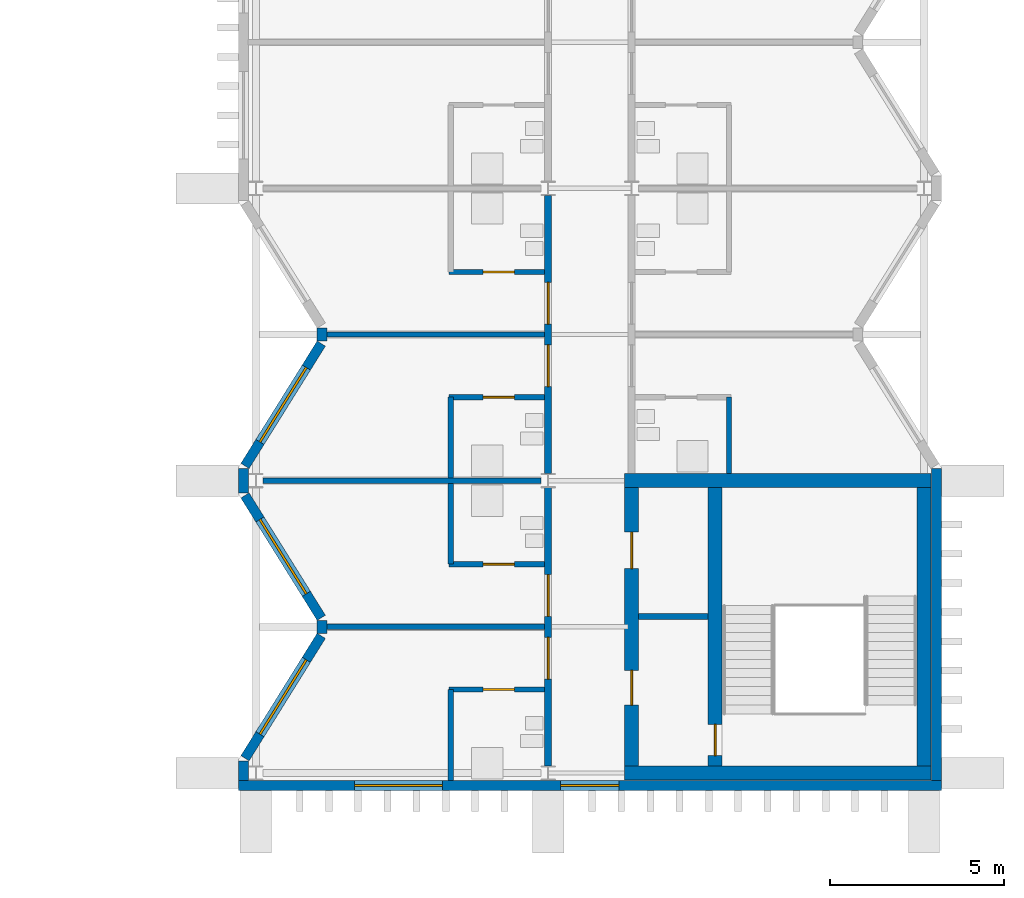
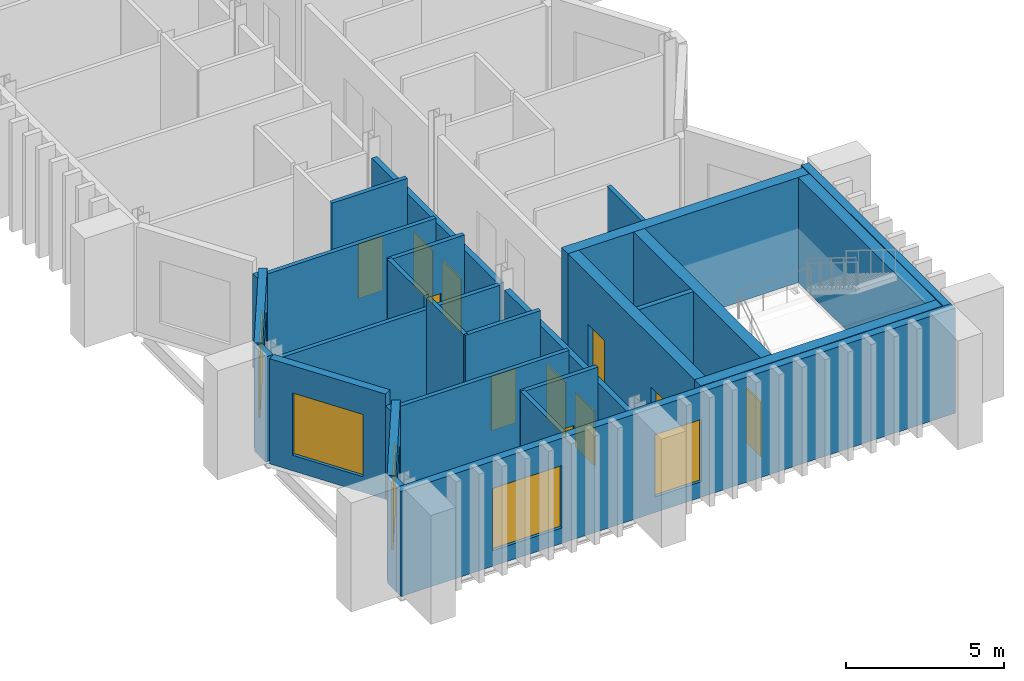
# One storey, part 9 of 17: 28 walls, 11 doors, 5 windows, 16 openings.
"""IFC4 building model written with IfcOpenShell, lengths in metres."""

from ifc_helpers import new_model, si_unit, direction, frame, frame_2d, origin, place, context, subcontext, project, spatial, rectangle, extrude, material, layer, layer_set, type_object, element, fill, save


model = new_model("IFC4")

# Units and contexts
model_context = context("Model", 3, precision=1e-05, world=origin(), true_north=direction((0.0, 1.0)))
body_context = subcontext(model_context, "Body", "Model", "MODEL_VIEW")
ifc_project = project(units=[si_unit("LENGTHUNIT", "METRE"), si_unit("AREAUNIT", "SQUARE_METRE"), si_unit("VOLUMEUNIT", "CUBIC_METRE"), si_unit("PLANEANGLEUNIT", "RADIAN"), si_unit("MASSUNIT", "GRAM", prefix="KILO")], contexts=[model_context])

# Site, building, storey
site_placement = place(None, origin())
site = spatial("IfcSite", under=ifc_project, at=site_placement, CompositionType="ELEMENT")
building_placement = place(site_placement, origin())
building = spatial("IfcBuilding", under=site, at=building_placement, Name="Cresset Court Congress Hotel", CompositionType="ELEMENT")
storey_placement = place(building_placement, frame((0.0, 0.0, 31.199951171875)))
storey = spatial("IfcBuildingStorey", under=building, at=storey_placement, Name="L07", CompositionType="ELEMENT", Elevation=31.199951171875)

# Wall, openings, doors
ifc_material_1 = material(Name="Gypsum board partition")
ifc_layer_1 = layer(ifc_material_1, 0.199951171875)
ifc_layer_set_1 = layer_set([ifc_layer_1], Name="Corridor wall 200")
wall_type_1 = type_object("IfcWallType", Name="Corridor wall 200", PredefinedType="PARTITIONING", material=ifc_layer_set_1)
wall_1_placement = place(storey_placement, frame((165.60009765625, 0.199951171875, 0.0), z_axis=(0.0, 0.0, 1.0), x_axis=(0.0, 1.0, 0.0)))
wall_1 = element("IfcWall", 1, at=wall_1_placement, inside=storey, type_object=wall_type_1, Name="A.wl.L07.070", PredefinedType="PARTITIONING", context=body_context, shape_type="SweptSolid", body=[
    extrude(rectangle(XDim=8.0, YDim=0.199951171875, at=frame_2d((4.0, 0.0))), origin(), (0.0, 0.0, 1.0), 3.449951171875),
])
opening_1_placement = place(wall_1_placement, frame((2.5, 0.0, 0.0)))
opening_1 = element("IfcOpeningElement", 2, at=opening_1_placement, cuts=wall_1, Name="Opening DA-07-02", PredefinedType="OPENING", context=body_context, shape_type="SweptSolid", body=[
    extrude(rectangle(XDim=1.199951171875, YDim=2.10009765625, at=frame_2d((0.60009765625, 1.050048828125))), frame((0.0, 0.10986328125, 0.0), z_axis=(0.0, -1.0, 0.0), x_axis=(1.0, 0.0, 0.0)), (0.0, 0.0, 1.0), 0.219970703125),
])
opening_2_placement = place(wall_1_placement, frame((4.300048828125, 0.0, 0.0)))
opening_2 = element("IfcOpeningElement", 3, at=opening_2_placement, cuts=wall_1, Name="Opening DA-07-04", PredefinedType="OPENING", context=body_context, shape_type="SweptSolid", body=[
    extrude(rectangle(XDim=1.199951171875, YDim=2.10009765625, at=frame_2d((0.60009765625, 1.050048828125))), frame((0.0, 0.10986328125, 0.0), z_axis=(0.0, -1.0, 0.0), x_axis=(1.0, 0.0, 0.0)), (0.0, 0.0, 1.0), 0.219970703125),
])
ifc_material_2 = material(Name="timber", Category="wood")
door_type_1 = type_object("IfcDoorType", Name="Guest-room entry door 1200x2100 FD30S", OperationType="SINGLE_SWING_LEFT", PredefinedType="DOOR", material=ifc_material_2)
door_1_placement = place(opening_1_placement, origin())
door_1 = element("IfcDoor", 4, at=door_1_placement, inside=storey, type_object=door_type_1, Name="Door DA-07-02", OperationType="SINGLE_SWING_RIGHT", OverallHeight=2.10009765625, OverallWidth=1.199951171875, PredefinedType="DOOR", context=body_context, shape_type="SweptSolid", body=[
    extrude(rectangle(XDim=1.199951171875, YDim=2.10009765625, at=frame_2d((0.60009765625, 1.050048828125))), frame((0.0, 0.02490234375, 0.0), z_axis=(0.0, -1.0, 0.0), x_axis=(1.0, 0.0, 0.0)), (0.0, 0.0, 1.0), 0.050048828125),
])
fill(opening_1, door_1)
door_2_placement = place(opening_2_placement, origin())
door_2 = element("IfcDoor", 5, at=door_2_placement, inside=storey, type_object=door_type_1, Name="Door DA-07-04", OperationType="SINGLE_SWING_LEFT", OverallHeight=2.10009765625, OverallWidth=1.199951171875, PredefinedType="DOOR", context=body_context, shape_type="SweptSolid", body=[
    extrude(rectangle(XDim=1.199951171875, YDim=2.10009765625, at=frame_2d((0.60009765625, 1.050048828125))), frame((0.0, 0.02490234375, 0.0), z_axis=(0.0, -1.0, 0.0), x_axis=(1.0, 0.0, 0.0)), (0.0, 0.0, 1.0), 0.050048828125),
])
fill(opening_2, door_2)

wall_2_placement = place(storey_placement, frame((165.60009765625, 8.60009765625, 0.0), z_axis=(0.0, 0.0, 1.0), x_axis=(0.0, 1.0, 0.0)))
wall_2 = element("IfcWall", 6, at=wall_2_placement, inside=storey, type_object=wall_type_1, Name="A.wl.L07.071", PredefinedType="PARTITIONING", context=body_context, shape_type="SweptSolid", body=[
    extrude(rectangle(XDim=8.0, YDim=0.199951171875, at=frame_2d((4.0, 0.0))), origin(), (0.0, 0.0, 1.0), 3.449951171875),
])
opening_3_placement = place(wall_2_placement, frame((2.5, 0.0, 0.0)))
opening_3 = element("IfcOpeningElement", 7, at=opening_3_placement, cuts=wall_2, Name="Opening DA-07-06", PredefinedType="OPENING", context=body_context, shape_type="SweptSolid", body=[
    extrude(rectangle(XDim=1.199951171875, YDim=2.10009765625, at=frame_2d((0.60009765625, 1.050048828125))), frame((0.0, 0.10986328125, 0.0), z_axis=(0.0, -1.0, 0.0), x_axis=(1.0, 0.0, 0.0)), (0.0, 0.0, 1.0), 0.219970703125),
])
opening_4_placement = place(wall_2_placement, frame((4.300048828125, 0.0, 0.0)))
opening_4 = element("IfcOpeningElement", 8, at=opening_4_placement, cuts=wall_2, Name="Opening DA-07-08", PredefinedType="OPENING", context=body_context, shape_type="SweptSolid", body=[
    extrude(rectangle(XDim=1.199951171875, YDim=2.10009765625, at=frame_2d((0.60009765625, 1.050048828125))), frame((0.0, 0.10986328125, 0.0), z_axis=(0.0, -1.0, 0.0), x_axis=(1.0, 0.0, 0.0)), (0.0, 0.0, 1.0), 0.219970703125),
])
door_3_placement = place(opening_3_placement, origin())
door_3 = element("IfcDoor", 9, at=door_3_placement, inside=storey, type_object=door_type_1, Name="Door DA-07-06", OperationType="SINGLE_SWING_RIGHT", OverallHeight=2.10009765625, OverallWidth=1.199951171875, PredefinedType="DOOR", context=body_context, shape_type="SweptSolid", body=[
    extrude(rectangle(XDim=1.199951171875, YDim=2.10009765625, at=frame_2d((0.60009765625, 1.050048828125))), frame((0.0, 0.02490234375, 0.0), z_axis=(0.0, -1.0, 0.0), x_axis=(1.0, 0.0, 0.0)), (0.0, 0.0, 1.0), 0.050048828125),
])
fill(opening_3, door_3)
door_4_placement = place(opening_4_placement, origin())
door_4 = element("IfcDoor", 10, at=door_4_placement, inside=storey, type_object=door_type_1, Name="Door DA-07-08", OperationType="SINGLE_SWING_LEFT", OverallHeight=2.10009765625, OverallWidth=1.199951171875, PredefinedType="DOOR", context=body_context, shape_type="SweptSolid", body=[
    extrude(rectangle(XDim=1.199951171875, YDim=2.10009765625, at=frame_2d((0.60009765625, 1.050048828125))), frame((0.0, 0.02490234375, 0.0), z_axis=(0.0, -1.0, 0.0), x_axis=(1.0, 0.0, 0.0)), (0.0, 0.0, 1.0), 0.050048828125),
])
fill(opening_4, door_4)

# Wall
ifc_material_3 = material(Name="Gypsum board partition")
ifc_layer_2 = layer(ifc_material_3, 0.14990234375)
ifc_layer_set_2 = layer_set([ifc_layer_2], Name="En-suite wall 150")
wall_type_2 = type_object("IfcWallType", Name="En-suite wall 150", PredefinedType="PARTITIONING", material=ifc_layer_set_2)
wall_3_placement = place(storey_placement, frame((162.800048828125, -0.219970703125, 0.0), z_axis=(0.0, 0.0, 1.0), x_axis=(0.0, 1.0, 0.0)))
element("IfcWall", 11, at=wall_3_placement, inside=storey, type_object=wall_type_2, Name="A.wl.L07.001", PredefinedType="PARTITIONING", context=body_context, shape_type="SweptSolid", body=[
    extrude(rectangle(XDim=2.619873046875, YDim=0.14990234375, at=frame_2d((1.31005859375, 0.0))), origin(), (0.0, 0.0, 1.0), 4.050048828125),
])

# Wall, opening, door
wall_4_placement = place(storey_placement, frame((162.75, 2.39990234375, 0.0), z_axis=(0.0, 0.0, 1.0), x_axis=(1.0, 0.0, 0.0)))
wall_4 = element("IfcWall", 12, at=wall_4_placement, inside=storey, type_object=wall_type_2, Name="A.wl.L07.002", PredefinedType="PARTITIONING", context=body_context, shape_type="SweptSolid", body=[
    extrude(rectangle(XDim=2.75, YDim=0.14990234375, at=frame_2d((1.375, 0.0))), origin(), (0.0, 0.0, 1.0), 4.050048828125),
])
opening_5_placement = place(wall_4_placement, frame((0.97998046875, 0.0, 0.0)))
opening_5 = element("IfcOpeningElement", 13, at=opening_5_placement, cuts=wall_4, Name="Opening DA-07-01", PredefinedType="OPENING", context=body_context, shape_type="SweptSolid", body=[
    extrude(rectangle(XDim=0.89990234375, YDim=2.10009765625, at=frame_2d((0.449951171875, 1.050048828125))), frame((0.0, 0.0849609375, 0.0), z_axis=(0.0, -1.0, 0.0), x_axis=(1.0, 0.0, 0.0)), (0.0, 0.0, 1.0), 0.169921875),
])
ifc_material_4 = material(Name="timber", Category="wood")
door_type_2 = type_object("IfcDoorType", Name="En-suite door 900x2100", OperationType="SINGLE_SWING_LEFT", PredefinedType="DOOR", material=ifc_material_4)
door_5_placement = place(opening_5_placement, origin())
door_5 = element("IfcDoor", 14, at=door_5_placement, inside=storey, type_object=door_type_2, Name="Door DA-07-01", OperationType="SINGLE_SWING_RIGHT", OverallHeight=2.10009765625, OverallWidth=0.89990234375, PredefinedType="DOOR", context=body_context, shape_type="SweptSolid", body=[
    extrude(rectangle(XDim=0.89990234375, YDim=2.10009765625, at=frame_2d((0.449951171875, 1.050048828125))), frame((0.0, 0.02490234375, 0.0), z_axis=(0.0, -1.0, 0.0), x_axis=(1.0, 0.0, 0.0)), (0.0, 0.0, 1.0), 0.050048828125),
])
fill(opening_5, door_5)

# Wall
wall_5_placement = place(storey_placement, frame((162.800048828125, 6.0, 0.0), z_axis=(0.0, 0.0, 1.0), x_axis=(0.0, 1.0, 0.0)))
element("IfcWall", 15, at=wall_5_placement, inside=storey, type_object=wall_type_2, Name="A.wl.L07.003", PredefinedType="PARTITIONING", context=body_context, shape_type="SweptSolid", body=[
    extrude(rectangle(XDim=2.324951171875, YDim=0.14990234375, at=frame_2d((1.16259765625, 0.0))), origin(), (0.0, 0.0, 1.0), 4.050048828125),
])

# Wall, opening, door
wall_6_placement = place(storey_placement, frame((162.75, 6.0, 0.0), z_axis=(0.0, 0.0, 1.0), x_axis=(1.0, 0.0, 0.0)))
wall_6 = element("IfcWall", 16, at=wall_6_placement, inside=storey, type_object=wall_type_2, Name="A.wl.L07.004", PredefinedType="PARTITIONING", context=body_context, shape_type="SweptSolid", body=[
    extrude(rectangle(XDim=2.75, YDim=0.14990234375, at=frame_2d((1.375, 0.0))), origin(), (0.0, 0.0, 1.0), 4.050048828125),
])
opening_6_placement = place(wall_6_placement, frame((0.97998046875, 0.0, 0.0)))
opening_6 = element("IfcOpeningElement", 17, at=opening_6_placement, cuts=wall_6, Name="Opening DA-07-03", PredefinedType="OPENING", context=body_context, shape_type="SweptSolid", body=[
    extrude(rectangle(XDim=0.89990234375, YDim=2.10009765625, at=frame_2d((0.449951171875, 1.050048828125))), frame((0.0, 0.0849609375, 0.0), z_axis=(0.0, -1.0, 0.0), x_axis=(1.0, 0.0, 0.0)), (0.0, 0.0, 1.0), 0.169921875),
])
door_6_placement = place(opening_6_placement, origin())
door_6 = element("IfcDoor", 18, at=door_6_placement, inside=storey, type_object=door_type_2, Name="Door DA-07-03", OperationType="SINGLE_SWING_LEFT", OverallHeight=2.10009765625, OverallWidth=0.89990234375, PredefinedType="DOOR", context=body_context, shape_type="SweptSolid", body=[
    extrude(rectangle(XDim=0.89990234375, YDim=2.10009765625, at=frame_2d((0.449951171875, 1.050048828125))), frame((0.0, 0.02490234375, 0.0), z_axis=(0.0, -1.0, 0.0), x_axis=(1.0, 0.0, 0.0)), (0.0, 0.0, 1.0), 0.050048828125),
])
fill(opening_6, door_6)

# Wall
wall_7_placement = place(storey_placement, frame((162.800048828125, 8.47509765625, 0.0), z_axis=(0.0, 0.0, 1.0), x_axis=(0.0, 1.0, 0.0)))
element("IfcWall", 19, at=wall_7_placement, inside=storey, type_object=wall_type_2, Name="A.wl.L07.005", PredefinedType="PARTITIONING", context=body_context, shape_type="SweptSolid", body=[
    extrude(rectangle(XDim=2.324951171875, YDim=0.14990234375, at=frame_2d((1.16259765625, 0.0))), origin(), (0.0, 0.0, 1.0), 4.050048828125),
])

# Wall, opening, door
wall_8_placement = place(storey_placement, frame((162.75, 10.800048828125, 0.0), z_axis=(0.0, 0.0, 1.0), x_axis=(1.0, 0.0, 0.0)))
wall_8 = element("IfcWall", 20, at=wall_8_placement, inside=storey, type_object=wall_type_2, Name="A.wl.L07.006", PredefinedType="PARTITIONING", context=body_context, shape_type="SweptSolid", body=[
    extrude(rectangle(XDim=2.75, YDim=0.14990234375, at=frame_2d((1.375, 0.0))), origin(), (0.0, 0.0, 1.0), 4.050048828125),
])
opening_7_placement = place(wall_8_placement, frame((0.97998046875, 0.0, 0.0)))
opening_7 = element("IfcOpeningElement", 21, at=opening_7_placement, cuts=wall_8, Name="Opening DA-07-05", PredefinedType="OPENING", context=body_context, shape_type="SweptSolid", body=[
    extrude(rectangle(XDim=0.89990234375, YDim=2.10009765625, at=frame_2d((0.449951171875, 1.050048828125))), frame((0.0, 0.0849609375, 0.0), z_axis=(0.0, -1.0, 0.0), x_axis=(1.0, 0.0, 0.0)), (0.0, 0.0, 1.0), 0.169921875),
])
door_7_placement = place(opening_7_placement, origin())
door_7 = element("IfcDoor", 22, at=door_7_placement, inside=storey, type_object=door_type_2, Name="Door DA-07-05", OperationType="SINGLE_SWING_RIGHT", OverallHeight=2.10009765625, OverallWidth=0.89990234375, PredefinedType="DOOR", context=body_context, shape_type="SweptSolid", body=[
    extrude(rectangle(XDim=0.89990234375, YDim=2.10009765625, at=frame_2d((0.449951171875, 1.050048828125))), frame((0.0, 0.02490234375, 0.0), z_axis=(0.0, -1.0, 0.0), x_axis=(1.0, 0.0, 0.0)), (0.0, 0.0, 1.0), 0.050048828125),
])
fill(opening_7, door_7)

wall_9_placement = place(storey_placement, frame((162.75, 14.39990234375, 0.0), z_axis=(0.0, 0.0, 1.0), x_axis=(1.0, 0.0, 0.0)))
wall_9 = element("IfcWall", 23, at=wall_9_placement, inside=storey, type_object=wall_type_2, Name="A.wl.L07.008", PredefinedType="PARTITIONING", context=body_context, shape_type="SweptSolid", body=[
    extrude(rectangle(XDim=2.75, YDim=0.14990234375, at=frame_2d((1.375, 0.0))), origin(), (0.0, 0.0, 1.0), 4.050048828125),
])
opening_8_placement = place(wall_9_placement, frame((0.97998046875, 0.0, 0.0)))
opening_8 = element("IfcOpeningElement", 24, at=opening_8_placement, cuts=wall_9, Name="Opening DA-07-07", PredefinedType="OPENING", context=body_context, shape_type="SweptSolid", body=[
    extrude(rectangle(XDim=0.89990234375, YDim=2.10009765625, at=frame_2d((0.449951171875, 1.050048828125))), frame((0.0, 0.0849609375, 0.0), z_axis=(0.0, -1.0, 0.0), x_axis=(1.0, 0.0, 0.0)), (0.0, 0.0, 1.0), 0.169921875),
])
door_8_placement = place(opening_8_placement, origin())
door_8 = element("IfcDoor", 25, at=door_8_placement, inside=storey, type_object=door_type_2, Name="Door DA-07-07", OperationType="SINGLE_SWING_LEFT", OverallHeight=2.10009765625, OverallWidth=0.89990234375, PredefinedType="DOOR", context=body_context, shape_type="SweptSolid", body=[
    extrude(rectangle(XDim=0.89990234375, YDim=2.10009765625, at=frame_2d((0.449951171875, 1.050048828125))), frame((0.0, 0.02490234375, 0.0), z_axis=(0.0, -1.0, 0.0), x_axis=(1.0, 0.0, 0.0)), (0.0, 0.0, 1.0), 0.050048828125),
])
fill(opening_8, door_8)

# Walls
wall_10_placement = place(storey_placement, frame((170.800048828125, 8.60009765625, 0.0), z_axis=(0.0, 0.0, 1.0), x_axis=(0.0, 1.0, 0.0)))
element("IfcWall", 26, at=wall_10_placement, inside=storey, type_object=wall_type_2, Name="A.wl.L07.033", PredefinedType="PARTITIONING", context=body_context, shape_type="SweptSolid", body=[
    extrude(rectangle(XDim=2.199951171875, YDim=0.14990234375, at=frame_2d((1.10009765625, 0.0))), origin(), (0.0, 0.0, 1.0), 4.050048828125),
])
ifc_material_5 = material(Name="Precast concrete C50", Category="concrete")
ifc_layer_3 = layer(ifc_material_5, 0.280029296875)
ifc_layer_set_3 = layer_set([ifc_layer_3], Name="External wall 280")
wall_type_3 = type_object("IfcWallType", Name="External wall 280", PredefinedType="SOLIDWALL", material=ifc_layer_set_3)
wall_11_placement = place(storey_placement, frame((156.840087890625, -0.219970703125, 0.0), z_axis=(0.0, 0.0, 1.0), x_axis=(0.0, 1.0, 0.0)))
element("IfcWall", 27, at=wall_11_placement, inside=storey, type_object=wall_type_3, Name="A.ew.L07.W.1", PredefinedType="SOLIDWALL", context=body_context, shape_type="SweptSolid", body=[
    extrude(rectangle(XDim=0.570068359375, YDim=0.280029296875, at=frame_2d((0.28515625, 0.0))), origin(), (0.0, 0.0, 1.0), 4.050048828125),
])

# Wall, opening, window
wall_12_placement = place(storey_placement, frame((156.88623046875, 0.424072265625, 0.0), z_axis=(0.0, 0.0, 1.0), x_axis=(0.529018946142, 0.848610013271, 0.0)))
wall_12 = element("IfcWall", 28, at=wall_12_placement, inside=storey, type_object=wall_type_3, Name="A.ew.L07.Wn.0.0", PredefinedType="SOLIDWALL", context=body_context, shape_type="SweptSolid", body=[
    extrude(rectangle(XDim=4.144287109375, YDim=0.280029296875, at=frame_2d((2.072265625, 0.0))), origin(), (0.0, 0.0, 1.0), 4.050048828125),
])
opening_9_placement = place(wall_12_placement, frame((0.812255859375, 0.0, 0.60009765625)))
opening_9 = element("IfcOpeningElement", 29, at=opening_9_placement, cuts=wall_12, Name="Opening NA-07-01", PredefinedType="OPENING", context=body_context, shape_type="SweptSolid", body=[
    extrude(rectangle(XDim=2.52001953125, YDim=2.39990234375, at=frame_2d((1.260009765625, 1.199951171875))), frame((0.0, 0.14990234375, 0.0), z_axis=(0.0, -1.0, 0.0), x_axis=(1.0, 0.0, 0.0)), (0.0, 0.0, 1.0), 0.300048828125),
])
ifc_material_6 = material(Name="Aluminium and glass", Category="aluminium")
window_type_1 = type_object("IfcWindowType", Name="Window 2520x2400", PartitioningType="SINGLE_PANEL", PredefinedType="WINDOW", material=ifc_material_6)
window_1_placement = place(opening_9_placement, origin())
window_1 = element("IfcWindow", 30, at=window_1_placement, inside=storey, type_object=window_type_1, Name="Window NA-07-01", OverallHeight=2.39990234375, OverallWidth=2.52001953125, PartitioningType="SINGLE_PANEL", PredefinedType="WINDOW", context=body_context, shape_type="SweptSolid", body=[
    extrude(rectangle(XDim=2.52001953125, YDim=2.39990234375, at=frame_2d((1.260009765625, 1.199951171875))), frame((0.0, 0.030029296875, 0.0), z_axis=(0.0, -1.0, 0.0), x_axis=(1.0, 0.0, 0.0)), (0.0, 0.0, 1.0), 0.06005859375),
])
fill(opening_9, window_1)

wall_13_placement = place(storey_placement, frame((159.07861328125, 4.458984375, 0.0), z_axis=(0.0, 0.0, 1.0), x_axis=(-0.529018946142, 0.848610013271, 0.0)))
wall_13 = element("IfcWall", 31, at=wall_13_placement, inside=storey, type_object=wall_type_3, Name="A.ew.L07.Wn.0.1", PredefinedType="SOLIDWALL", context=body_context, shape_type="SweptSolid", body=[
    extrude(rectangle(XDim=4.144287109375, YDim=0.280029296875, at=frame_2d((2.072265625, 0.0))), origin(), (0.0, 0.0, 1.0), 4.050048828125),
])
opening_10_placement = place(wall_13_placement, frame((0.812255859375, 0.0, 0.60009765625)))
opening_10 = element("IfcOpeningElement", 32, at=opening_10_placement, cuts=wall_13, Name="Opening NA-07-02", PredefinedType="OPENING", context=body_context, shape_type="SweptSolid", body=[
    extrude(rectangle(XDim=2.52001953125, YDim=2.39990234375, at=frame_2d((1.260009765625, 1.199951171875))), frame((0.0, 0.14990234375, 0.0), z_axis=(0.0, -1.0, 0.0), x_axis=(1.0, 0.0, 0.0)), (0.0, 0.0, 1.0), 0.300048828125),
])
window_2_placement = place(opening_10_placement, origin())
window_2 = element("IfcWindow", 33, at=window_2_placement, inside=storey, type_object=window_type_1, Name="Window NA-07-02", OverallHeight=2.39990234375, OverallWidth=2.52001953125, PartitioningType="SINGLE_PANEL", PredefinedType="WINDOW", context=body_context, shape_type="SweptSolid", body=[
    extrude(rectangle(XDim=2.52001953125, YDim=2.39990234375, at=frame_2d((1.260009765625, 1.199951171875))), frame((0.0, 0.030029296875, 0.0), z_axis=(0.0, -1.0, 0.0), x_axis=(1.0, 0.0, 0.0)), (0.0, 0.0, 1.0), 0.06005859375),
])
fill(opening_10, window_2)

# Walls
wall_14_placement = place(storey_placement, frame((159.099609375, 4.01513671875, 0.0), z_axis=(0.0, 0.0, 1.0), x_axis=(0.0, 1.0, 0.0)))
element("IfcWall", 34, at=wall_14_placement, inside=storey, type_object=wall_type_3, Name="A.ew.L07.Wn.0.2", PredefinedType="SOLIDWALL", context=body_context, shape_type="SweptSolid", body=[
    extrude(rectangle(XDim=0.369873046875, YDim=0.280029296875, at=frame_2d((0.18505859375, 0.0))), origin(), (0.0, 0.0, 1.0), 3.60400390625),
])
wall_15_placement = place(storey_placement, frame((156.840087890625, 8.050048828125, 0.0), z_axis=(0.0, 0.0, 1.0), x_axis=(0.0, 1.0, 0.0)))
element("IfcWall", 35, at=wall_15_placement, inside=storey, type_object=wall_type_3, Name="A.ew.L07.W.2", PredefinedType="SOLIDWALL", context=body_context, shape_type="SweptSolid", body=[
    extrude(rectangle(XDim=0.699951171875, YDim=0.280029296875, at=frame_2d((0.35009765625, 0.0))), origin(), (0.0, 0.0, 1.0), 4.050048828125),
])

# Wall, opening, window
wall_16_placement = place(storey_placement, frame((156.88623046875, 8.82421875, 0.0), z_axis=(0.0, 0.0, 1.0), x_axis=(0.529018946142, 0.848610013271, 0.0)))
wall_16 = element("IfcWall", 36, at=wall_16_placement, inside=storey, type_object=wall_type_3, Name="A.ew.L07.Wn.1.0", PredefinedType="SOLIDWALL", context=body_context, shape_type="SweptSolid", body=[
    extrude(rectangle(XDim=4.144287109375, YDim=0.280029296875, at=frame_2d((2.072265625, 0.0))), origin(), (0.0, 0.0, 1.0), 4.050048828125),
])
opening_11_placement = place(wall_16_placement, frame((0.812255859375, 0.0, 0.60009765625)))
opening_11 = element("IfcOpeningElement", 37, at=opening_11_placement, cuts=wall_16, Name="Opening NA-07-03", PredefinedType="OPENING", context=body_context, shape_type="SweptSolid", body=[
    extrude(rectangle(XDim=2.52001953125, YDim=2.39990234375, at=frame_2d((1.260009765625, 1.199951171875))), frame((0.0, 0.14990234375, 0.0), z_axis=(0.0, -1.0, 0.0), x_axis=(1.0, 0.0, 0.0)), (0.0, 0.0, 1.0), 0.300048828125),
])
window_3_placement = place(opening_11_placement, origin())
window_3 = element("IfcWindow", 38, at=window_3_placement, inside=storey, type_object=window_type_1, Name="Window NA-07-03", OverallHeight=2.39990234375, OverallWidth=2.52001953125, PartitioningType="SINGLE_PANEL", PredefinedType="WINDOW", context=body_context, shape_type="SweptSolid", body=[
    extrude(rectangle(XDim=2.52001953125, YDim=2.39990234375, at=frame_2d((1.260009765625, 1.199951171875))), frame((0.0, 0.030029296875, 0.0), z_axis=(0.0, -1.0, 0.0), x_axis=(1.0, 0.0, 0.0)), (0.0, 0.0, 1.0), 0.06005859375),
])
fill(opening_11, window_3)

# Walls
wall_17_placement = place(storey_placement, frame((159.099609375, 12.4150390625, 0.0), z_axis=(0.0, 0.0, 1.0), x_axis=(0.0, 1.0, 0.0)))
element("IfcWall", 39, at=wall_17_placement, inside=storey, type_object=wall_type_3, Name="A.ew.L07.Wn.1.2", PredefinedType="SOLIDWALL", context=body_context, shape_type="SweptSolid", body=[
    extrude(rectangle(XDim=0.369873046875, YDim=0.280029296875, at=frame_2d((0.18505859375, 0.0))), origin(), (0.0, 0.0, 1.0), 3.60400390625),
])
wall_18_placement = place(storey_placement, frame((176.760009765625, -0.219970703125, 0.0), z_axis=(0.0, 0.0, 1.0), x_axis=(0.0, 1.0, 0.0)))
element("IfcWall", 40, at=wall_18_placement, inside=storey, type_object=wall_type_3, Name="A.ew.L07.E.1", PredefinedType="SOLIDWALL", context=body_context, shape_type="SweptSolid", body=[
    extrude(rectangle(XDim=8.969970703125, YDim=0.280029296875, at=frame_2d((4.48486328125, 0.0))), origin(), (0.0, 0.0, 1.0), 4.050048828125),
])

# Wall, openings, windows
ifc_material_7 = material(Name="Precast concrete C50", Category="concrete")
ifc_layer_4 = layer(ifc_material_7, 0.280029296875)
ifc_layer_set_4 = layer_set([ifc_layer_4], Name="Gable end wall 280")
wall_type_4 = type_object("IfcWallType", Name="Gable end wall 280", PredefinedType="SOLIDWALL", material=ifc_layer_set_4)
wall_19_placement = place(storey_placement, frame((156.699951171875, -0.360107421875, 0.0), z_axis=(0.0, 0.0, 1.0), x_axis=(1.0, 0.0, 0.0)))
wall_19 = element("IfcWall", 41, at=wall_19_placement, inside=storey, type_object=wall_type_4, Name="A.ew.L07.S.1", PredefinedType="SOLIDWALL", context=body_context, shape_type="SweptSolid", body=[
    extrude(rectangle(XDim=20.199951171875, YDim=0.280029296875, at=frame_2d((10.10009765625, 0.0))), origin(), (0.0, 0.0, 1.0), 4.050048828125),
])
opening_12_placement = place(wall_19_placement, frame((9.260009765625, 0.0, 0.60009765625)))
opening_12 = element("IfcOpeningElement", 42, at=opening_12_placement, cuts=wall_19, Name="Opening NA-07-25", PredefinedType="OPENING", context=body_context, shape_type="SweptSolid", body=[
    extrude(rectangle(XDim=1.679931640625, YDim=2.39990234375, at=frame_2d((0.83984375, 1.199951171875))), frame((0.0, 0.14990234375, 0.0), z_axis=(0.0, -1.0, 0.0), x_axis=(1.0, 0.0, 0.0)), (0.0, 0.0, 1.0), 0.300048828125),
])
opening_13_placement = place(wall_19_placement, frame((3.340087890625, 0.0, 0.60009765625)))
opening_13 = element("IfcOpeningElement", 43, at=opening_13_placement, cuts=wall_19, Name="Opening NA-07-26", PredefinedType="OPENING", context=body_context, shape_type="SweptSolid", body=[
    extrude(rectangle(XDim=2.52001953125, YDim=2.39990234375, at=frame_2d((1.260009765625, 1.199951171875))), frame((0.0, 0.14990234375, 0.0), z_axis=(0.0, -1.0, 0.0), x_axis=(1.0, 0.0, 0.0)), (0.0, 0.0, 1.0), 0.300048828125),
])
ifc_material_8 = material(Name="Aluminium and glass", Category="aluminium")
window_type_2 = type_object("IfcWindowType", Name="Window 1680x2400", PartitioningType="SINGLE_PANEL", PredefinedType="WINDOW", material=ifc_material_8)
window_4_placement = place(opening_12_placement, origin())
window_4 = element("IfcWindow", 44, at=window_4_placement, inside=storey, type_object=window_type_2, Name="Window NA-07-25", OverallHeight=2.39990234375, OverallWidth=1.679931640625, PartitioningType="SINGLE_PANEL", PredefinedType="WINDOW", context=body_context, shape_type="SweptSolid", body=[
    extrude(rectangle(XDim=1.679931640625, YDim=2.39990234375, at=frame_2d((0.83984375, 1.199951171875))), frame((0.0, 0.030029296875, 0.0), z_axis=(0.0, -1.0, 0.0), x_axis=(1.0, 0.0, 0.0)), (0.0, 0.0, 1.0), 0.06005859375),
])
fill(opening_12, window_4)
window_5_placement = place(opening_13_placement, origin())
window_5 = element("IfcWindow", 45, at=window_5_placement, inside=storey, type_object=window_type_1, Name="Window NA-07-26", OverallHeight=2.39990234375, OverallWidth=2.52001953125, PartitioningType="SINGLE_PANEL", PredefinedType="WINDOW", context=body_context, shape_type="SweptSolid", body=[
    extrude(rectangle(XDim=2.52001953125, YDim=2.39990234375, at=frame_2d((1.260009765625, 1.199951171875))), frame((0.0, 0.030029296875, 0.0), z_axis=(0.0, -1.0, 0.0), x_axis=(1.0, 0.0, 0.0)), (0.0, 0.0, 1.0), 0.06005859375),
])
fill(opening_13, window_5)

# Walls
ifc_material_9 = material(Name="Gypsum board partition")
ifc_layer_5 = layer(ifc_material_9, 0.14990234375)
ifc_layer_set_5 = layer_set([ifc_layer_5], Name="Guest-room partition 150")
wall_type_5 = type_object("IfcWallType", Name="Guest-room partition 150", PredefinedType="PARTITIONING", material=ifc_layer_set_5)
wall_20_placement = place(storey_placement, frame((157.39990234375, 8.39990234375, 0.0), z_axis=(0.0, 0.0, 1.0), x_axis=(1.0, 0.0, 0.0)))
element("IfcWall", 46, at=wall_20_placement, inside=storey, type_object=wall_type_5, Name="A.wl.L07.049", PredefinedType="PARTITIONING", context=body_context, shape_type="SweptSolid", body=[
    extrude(rectangle(XDim=8.0, YDim=0.14990234375, at=frame_2d((4.0, 0.0))), origin(), (0.0, 0.0, 1.0), 3.60400390625),
])
for number, where, z_axis, x_axis, name in (
    (47, (159.23974609375, 4.199951171875, 0.0), (0.0, 0.0, 1.0), (1.0, 0.0, 0.0), "A.wl.L07.058"),
    (48, (159.23974609375, 12.60009765625, 0.0), (0.0, 0.0, 1.0), (1.0, 0.0, 0.0), "A.wl.L07.059"),
):
    element("IfcWall", number, at=place(storey_placement, frame(where, z_axis=z_axis, x_axis=x_axis)), inside=storey, type_object=wall_type_5, Name=name, PredefinedType="PARTITIONING", context=body_context, shape_type="SweptSolid", body=[
        extrude(rectangle(XDim=6.26025390625, YDim=0.14990234375, at=frame_2d((3.130126953125, 0.0))), origin(), (0.0, 0.0, 1.0), 3.60400390625),
    ])
ifc_material_10 = material(Name="Concrete block wall", Category="concrete")
ifc_layer_6 = layer(ifc_material_10, 0.175048828125)
ifc_layer_set_6 = layer_set([ifc_layer_6], Name="Riser shaft wall 175")
wall_type_6 = type_object("IfcWallType", Name="Riser shaft wall 175", PredefinedType="PARTITIONING", material=ifc_layer_set_6)
wall_21_placement = place(storey_placement, frame((168.199951171875, 4.5, 0.0), z_axis=(0.0, 0.0, 1.0), x_axis=(1.0, 0.0, 0.0)))
element("IfcWall", 49, at=wall_21_placement, inside=storey, type_object=wall_type_6, Name="A.wl.L07.083", PredefinedType="PARTITIONING", context=body_context, shape_type="SweptSolid", body=[
    extrude(rectangle(XDim=2.0, YDim=0.175048828125, at=frame_2d((1.0, 0.0))), origin(), (0.0, 0.0, 1.0), 4.050048828125),
])
ifc_material_11 = material(Name="Concrete C50", Category="concrete")
ifc_layer_7 = layer(ifc_material_11, 0.39990234375)
ifc_layer_set_7 = layer_set([ifc_layer_7], Name="Stair core wall 400")
wall_type_7 = type_object("IfcWallType", Name="Stair core wall 400", PredefinedType="SOLIDWALL", material=ifc_layer_set_7)
for number, where, z_axis, x_axis, name in (
    (50, (167.800048828125, 0.0, 0.0), (0.0, 0.0, 1.0), (1.0, 0.0, 0.0), "A.cw.ST-A1.L07.S"),
    (51, (167.800048828125, 8.39990234375, 0.0), (0.0, 0.0, 1.0), (1.0, 0.0, 0.0), "A.cw.ST-A1.L07.N"),
):
    element("IfcWall", number, at=place(storey_placement, frame(where, z_axis=z_axis, x_axis=x_axis)), inside=storey, type_object=wall_type_7, Name=name, PredefinedType="SOLIDWALL", context=body_context, shape_type="SweptSolid", body=[
        extrude(rectangle(XDim=8.800048828125, YDim=0.39990234375, at=frame_2d((4.39990234375, 0.0))), origin(), (0.0, 0.0, 1.0), 4.050048828125),
    ])

# Wall, openings, doors
wall_22_placement = place(storey_placement, frame((168.0, 0.199951171875, 0.0), z_axis=(0.0, 0.0, 1.0), x_axis=(0.0, 1.0, 0.0)))
wall_22 = element("IfcWall", 52, at=wall_22_placement, inside=storey, type_object=wall_type_7, Name="A.cw.ST-A1.L07.W", PredefinedType="SOLIDWALL", context=body_context, shape_type="SweptSolid", body=[
    extrude(rectangle(XDim=8.0, YDim=0.39990234375, at=frame_2d((4.0, 0.0))), origin(), (0.0, 0.0, 1.0), 4.050048828125),
])
opening_14_placement = place(wall_22_placement, frame((1.75, 0.0, 0.0)))
opening_14 = element("IfcOpeningElement", 53, at=opening_14_placement, cuts=wall_22, Name="Opening DA-07-50", PredefinedType="OPENING", context=body_context, shape_type="SweptSolid", body=[
    extrude(rectangle(XDim=1.0, YDim=2.10009765625, at=frame_2d((0.5, 1.050048828125))), frame((0.0, 0.2099609375, 0.0), z_axis=(0.0, -1.0, 0.0), x_axis=(1.0, 0.0, 0.0)), (0.0, 0.0, 1.0), 0.419921875),
])
opening_15_placement = place(wall_22_placement, frame((5.675048828125, 0.0, 0.0)))
opening_15 = element("IfcOpeningElement", 54, at=opening_15_placement, cuts=wall_22, Name="Opening DA-07-51", PredefinedType="OPENING", context=body_context, shape_type="SweptSolid", body=[
    extrude(rectangle(XDim=1.050048828125, YDim=2.10009765625, at=frame_2d((0.52490234375, 1.050048828125))), frame((0.0, 0.2099609375, 0.0), z_axis=(0.0, -1.0, 0.0), x_axis=(1.0, 0.0, 0.0)), (0.0, 0.0, 1.0), 0.419921875),
])
ifc_material_12 = material(Name="steel", Category="steel")
door_type_3 = type_object("IfcDoorType", Name="Housekeeping room door 1050x2100 FD30", OperationType="SINGLE_SWING_LEFT", PredefinedType="DOOR", material=ifc_material_12)
door_9_placement = place(opening_15_placement, origin())
door_9 = element("IfcDoor", 55, at=door_9_placement, inside=storey, type_object=door_type_3, Name="Door DA-07-51", OperationType="SINGLE_SWING_LEFT", OverallHeight=2.10009765625, OverallWidth=1.050048828125, PredefinedType="DOOR", context=body_context, shape_type="SweptSolid", body=[
    extrude(rectangle(XDim=1.050048828125, YDim=2.10009765625, at=frame_2d((0.52490234375, 1.050048828125))), frame((0.0, 0.02490234375, 0.0), z_axis=(0.0, -1.0, 0.0), x_axis=(1.0, 0.0, 0.0)), (0.0, 0.0, 1.0), 0.050048828125),
])
fill(opening_15, door_9)
ifc_material_13 = material(Name="steel", Category="steel")
door_type_4 = type_object("IfcDoorType", Name="Lobby door 1000x2100 FD60", OperationType="SINGLE_SWING_LEFT", PredefinedType="DOOR", material=ifc_material_13)
door_10_placement = place(opening_14_placement, origin())
door_10 = element("IfcDoor", 56, at=door_10_placement, inside=storey, type_object=door_type_4, Name="Door DA-07-50", OperationType="SINGLE_SWING_RIGHT", OverallHeight=2.10009765625, OverallWidth=1.0, PredefinedType="DOOR", context=body_context, shape_type="SweptSolid", body=[
    extrude(rectangle(XDim=1.0, YDim=2.10009765625, at=frame_2d((0.5, 1.050048828125))), frame((0.0, 0.02490234375, 0.0), z_axis=(0.0, -1.0, 0.0), x_axis=(1.0, 0.0, 0.0)), (0.0, 0.0, 1.0), 0.050048828125),
])
fill(opening_14, door_10)

# Wall
wall_23_placement = place(storey_placement, frame((176.39990234375, 0.199951171875, 0.0), z_axis=(0.0, 0.0, 1.0), x_axis=(0.0, 1.0, 0.0)))
element("IfcWall", 57, at=wall_23_placement, inside=storey, type_object=wall_type_7, Name="A.cw.ST-A1.L07.E", PredefinedType="SOLIDWALL", context=body_context, shape_type="SweptSolid", body=[
    extrude(rectangle(XDim=8.0, YDim=0.39990234375, at=frame_2d((4.0, 0.0))), origin(), (0.0, 0.0, 1.0), 4.050048828125),
])

# Wall, opening, door
wall_24_placement = place(storey_placement, frame((170.39990234375, 0.199951171875, 0.0), z_axis=(0.0, 0.0, 1.0), x_axis=(0.0, 1.0, 0.0)))
wall_24 = element("IfcWall", 58, at=wall_24_placement, inside=storey, type_object=wall_type_7, Name="A.wl.L07.082", PredefinedType="SOLIDWALL", context=body_context, shape_type="SweptSolid", body=[
    extrude(rectangle(XDim=8.0, YDim=0.39990234375, at=frame_2d((4.0, 0.0))), origin(), (0.0, 0.0, 1.0), 4.050048828125),
])
opening_16_placement = place(wall_24_placement, frame((0.300048828125, 0.0, 0.0)))
opening_16 = element("IfcOpeningElement", 59, at=opening_16_placement, cuts=wall_24, Name="Opening DA-07-49", PredefinedType="OPENING", context=body_context, shape_type="SweptSolid", body=[
    extrude(rectangle(XDim=0.89990234375, YDim=2.10009765625, at=frame_2d((0.449951171875, 1.050048828125))), frame((0.0, 0.2099609375, 0.0), z_axis=(0.0, -1.0, 0.0), x_axis=(1.0, 0.0, 0.0)), (0.0, 0.0, 1.0), 0.419921875),
])
ifc_material_14 = material(Name="steel", Category="steel")
door_type_5 = type_object("IfcDoorType", Name="Stair door 900x2100 FD60", OperationType="SINGLE_SWING_LEFT", PredefinedType="DOOR", material=ifc_material_14)
door_11_placement = place(opening_16_placement, origin())
door_11 = element("IfcDoor", 60, at=door_11_placement, inside=storey, type_object=door_type_5, Name="Door DA-07-49", OperationType="SINGLE_SWING_LEFT", OverallHeight=2.10009765625, OverallWidth=0.89990234375, PredefinedType="DOOR", context=body_context, shape_type="SweptSolid", body=[
    extrude(rectangle(XDim=0.89990234375, YDim=2.10009765625, at=frame_2d((0.449951171875, 1.050048828125))), frame((0.0, 0.02490234375, 0.0), z_axis=(0.0, -1.0, 0.0), x_axis=(1.0, 0.0, 0.0)), (0.0, 0.0, 1.0), 0.050048828125),
])
fill(opening_16, door_11)

save(model, "model.ifc")
